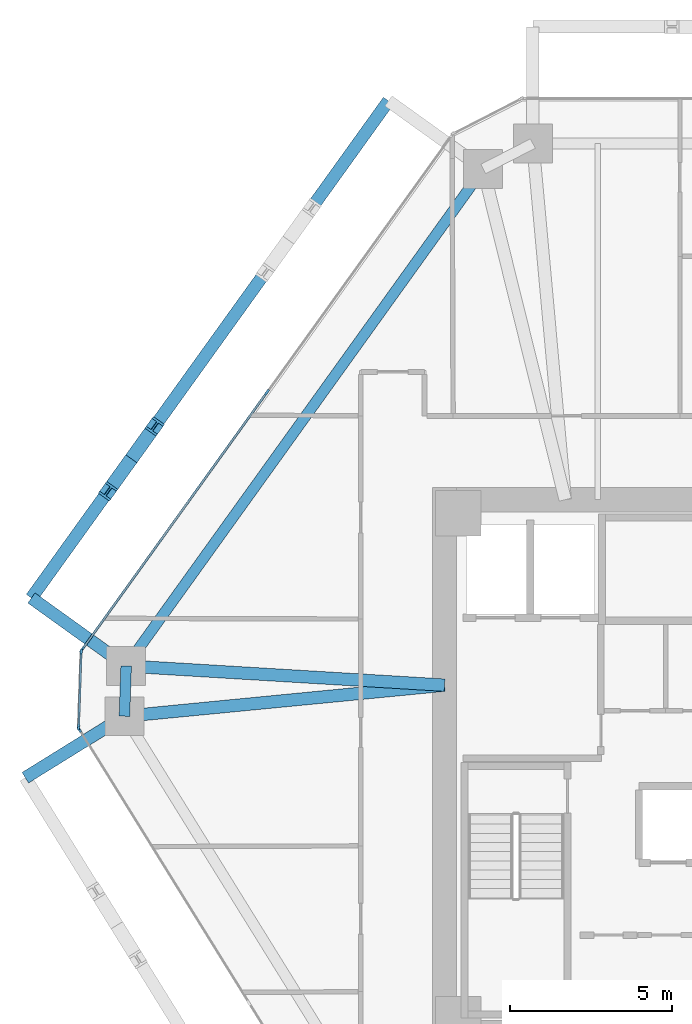
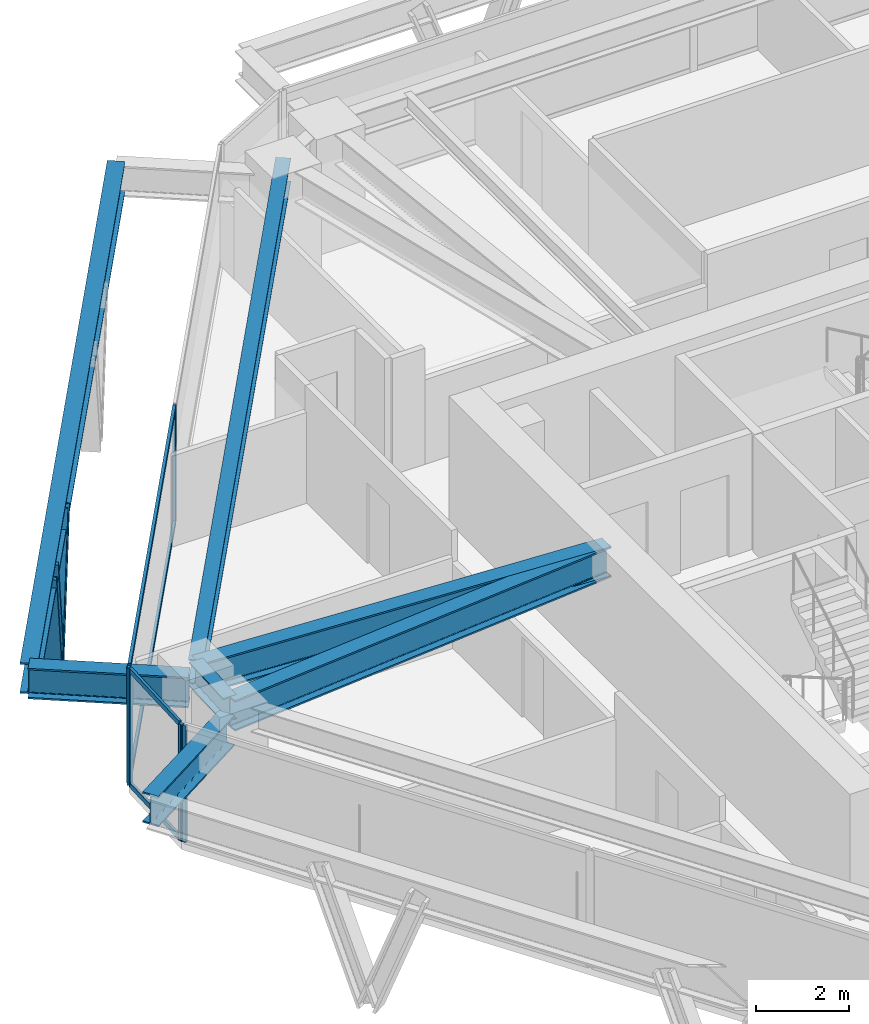
# One storey, part 4 of 14: 11 members, 7 beams, 3 elements without a shape of their own.
"""IFC4 building model written with IfcOpenShell, lengths in metres."""

from ifc_helpers import new_model, si_unit, direction, frame, origin, origin_2d, place, context, subcontext, project, spatial, rectangle, i_section, extrude, source, transform, mapped, material, layer, layer_set, material_profile, profile_set, type_object, type_shapes, element, aggregate, save


model = new_model("IFC4")

# Units and contexts
model_context = context("Model", 3, precision=1e-05, world=origin(), true_north=direction((0.0, 1.0)))
body_context = subcontext(model_context, "Body", "Model", "MODEL_VIEW")
ifc_project = project(units=[si_unit("LENGTHUNIT", "METRE"), si_unit("AREAUNIT", "SQUARE_METRE"), si_unit("VOLUMEUNIT", "CUBIC_METRE"), si_unit("PLANEANGLEUNIT", "RADIAN"), si_unit("MASSUNIT", "GRAM", prefix="KILO")], contexts=[model_context])

# Site, building, storey
site_placement = place(None, origin())
site = spatial("IfcSite", under=ifc_project, at=site_placement, CompositionType="ELEMENT")
building_placement = place(site_placement, origin())
building = spatial("IfcBuilding", under=site, at=building_placement, Name="Durnholm Broadcast Tower", CompositionType="ELEMENT")
storey_placement = place(building_placement, frame((0.0, 0.0, 107.39990234375)))
storey = spatial("IfcBuildingStorey", under=building, at=storey_placement, Name="L28", CompositionType="ELEMENT", Elevation=107.39990234375)

# Beams
ifc_material_1 = material(Name="Steel ASTM A992 Grade 50", Category="steel")
ifc_material_profile_1 = material_profile(ifc_material_1, i_section(OverallWidth=0.385009765625, OverallDepth=0.802978515625, WebThickness=0.023681640625, FlangeThickness=0.0419921875, FilletRadius=0.032958984375, at=origin_2d()), Name="W30X261")
ifc_profile_set_1 = profile_set([ifc_material_profile_1], Name="Steel ASTM A992 Grade 50")
beam_type_1 = type_object("IfcBeamType", Name="BM-EXO-TIE", PredefinedType="USERDEFINED", material=ifc_profile_set_1)
shared_shape_1 = source(origin(), body_context, "Body", "SweptSolid", [
    extrude(i_section(OverallWidth=0.385009765625, OverallDepth=0.802978515625, WebThickness=0.023681640625, FlangeThickness=0.0419921875, FilletRadius=0.032958984375, at=origin_2d()), origin(), (0.0, 0.0, 1.0), 3.4560546875),
])
for number, where, z_axis, x_axis, name in (
    (1, (-20.1669921875, 3.175048828125, 2.30859375), (-0.812164951739, 0.583427880005, 0.0), (-0.583427880005, -0.812164951739, 0.0), "L28 exoskeleton stand-off tie bracket F5.2"),
    (2, (-20.22509765625, 1.465576171875, 2.30859375), (-0.849795112316, -0.527113144481, 0.0), (0.527113144481, -0.849795112316, 0.0), "L28 exoskeleton stand-off tie bracket F6.1"),
):
    element("IfcBeam", number, at=place(storey_placement, frame(where, z_axis=z_axis, x_axis=x_axis)), inside=storey, type_object=beam_type_1, Name=name, ObjectType="GIRDER", PredefinedType="USERDEFINED", context=body_context, shape_type="MappedRepresentation", body=[
        mapped(shared_shape_1, transform((0.0, 0.0, 0.0), x_axis=(1.0, 0.0, 0.0), y_axis=(0.0, 1.0, 0.0), z_axis=(0.0, 0.0, 1.0), scale=1.0)),
    ])
ifc_material_profile_2 = material_profile(ifc_material_1, i_section(OverallWidth=0.3291015625, OverallDepth=0.635009765625, WebThickness=0.017822265625, FlangeThickness=0.031005859375, FilletRadius=0.02783203125, at=origin_2d()), Name="W24X162")
ifc_profile_set_2 = profile_set([ifc_material_profile_2], Name="Steel ASTM A992 Grade 50")
beam_type_2 = type_object("IfcBeamType", Name="STL-SP-W24X162", PredefinedType="SPANDREL", material=ifc_profile_set_2)
shared_shape_2 = source(origin(), body_context, "Body", "SweptSolid", [
    extrude(i_section(OverallWidth=0.3291015625, OverallDepth=0.635009765625, WebThickness=0.017822265625, FlangeThickness=0.031005859375, FilletRadius=0.02783203125, at=origin_2d()), origin(), (0.0, 0.0, 1.0), 1.550537109375),
])
beam_1_placement = place(storey_placement, frame((-20.102783203125, 1.54150390625, 2.7275390625), z_axis=(0.034012135923, 0.999421419928, 0.0), x_axis=(-0.999421419928, 0.034012135923, 0.0)))
element("IfcBeam", 3, at=beam_1_placement, inside=storey, type_object=beam_type_2, Name="L28 perimeter spandrel girder 02", PredefinedType="SPANDREL", context=body_context, shape_type="MappedRepresentation", body=[
    mapped(shared_shape_2, transform((0.0, 0.0, 0.0), x_axis=(1.0, 0.0, 0.0), y_axis=(0.0, 1.0, 0.0), z_axis=(0.0, 0.0, 1.0), scale=1.0)),
])
shared_shape_3 = source(origin(), body_context, "Body", "SweptSolid", [
    extrude(i_section(OverallWidth=0.3291015625, OverallDepth=0.635009765625, WebThickness=0.017822265625, FlangeThickness=0.031005859375, FilletRadius=0.02783203125, at=origin_2d()), origin(), (0.0, 0.0, 1.0), 18.884521484375),
])
type_shapes(beam_type_2, [shared_shape_2, shared_shape_3])
beam_2_placement = place(storey_placement, frame((-20.050048828125, 3.091064453125, 2.7275390625), z_axis=(0.583443434414, 0.812153777827, 0.0), x_axis=(-0.812153777827, 0.583443434414, 0.0)))
element("IfcBeam", 4, at=beam_2_placement, inside=storey, type_object=beam_type_2, Name="L28 perimeter spandrel girder 03", PredefinedType="SPANDREL", context=body_context, shape_type="MappedRepresentation", body=[
    mapped(shared_shape_3, transform((0.0, 0.0, 0.0), x_axis=(1.0, 0.0, 0.0), y_axis=(0.0, 1.0, 0.0), z_axis=(0.0, 0.0, 1.0), scale=1.0)),
])
ifc_material_profile_3 = material_profile(ifc_material_1, i_section(OverallWidth=0.385009765625, OverallDepth=0.802978515625, WebThickness=0.023681640625, FlangeThickness=0.0419921875, FilletRadius=0.032958984375, at=origin_2d()), Name="W30X261")
ifc_profile_set_3 = profile_set([ifc_material_profile_3], Name="Steel ASTM A992 Grade 50")
beam_type_3 = type_object("IfcBeamType", Name="STL-GR-W30X261", PredefinedType="USERDEFINED", material=ifc_profile_set_3)
shared_shape_4 = source(origin(), body_context, "Body", "SweptSolid", [
    extrude(i_section(OverallWidth=0.385009765625, OverallDepth=0.802978515625, WebThickness=0.023681640625, FlangeThickness=0.0419921875, FilletRadius=0.032958984375, at=origin_2d()), origin(), (0.0, 0.0, 1.0), 9.924072265625),
])
beam_3_placement = place(storey_placement, frame((-10.22509765625, 2.5, 2.6435546875), z_axis=(-0.995324947968, -0.096582855378, 0.0), x_axis=(0.096582855378, -0.995324947968, 0.0)))
element("IfcBeam", 5, at=beam_3_placement, inside=storey, type_object=beam_type_3, Name="L28 radial primary floor girder 02", ObjectType="GIRDER", PredefinedType="USERDEFINED", context=body_context, shape_type="MappedRepresentation", body=[
    mapped(shared_shape_4, transform((0.0, 0.0, 0.0), x_axis=(1.0, 0.0, 0.0), y_axis=(0.0, 1.0, 0.0), z_axis=(0.0, 0.0, 1.0), scale=1.0)),
])
shared_shape_5 = source(origin(), body_context, "Body", "SweptSolid", [
    extrude(i_section(OverallWidth=0.385009765625, OverallDepth=0.802978515625, WebThickness=0.023681640625, FlangeThickness=0.0419921875, FilletRadius=0.032958984375, at=origin_2d()), origin(), (0.0, 0.0, 1.0), 9.8427734375),
])
type_shapes(beam_type_3, [shared_shape_4, shared_shape_5])
beam_4_placement = place(storey_placement, frame((-10.22509765625, 2.5, 2.6435546875), z_axis=(-0.998195312551, 0.0600509617, 0.0), x_axis=(-0.0600509617, -0.998195312551, 0.0)))
element("IfcBeam", 6, at=beam_4_placement, inside=storey, type_object=beam_type_3, Name="L28 radial primary floor girder 03", ObjectType="GIRDER", PredefinedType="USERDEFINED", context=body_context, shape_type="MappedRepresentation", body=[
    mapped(shared_shape_5, transform((0.0, 0.0, 0.0), x_axis=(1.0, 0.0, 0.0), y_axis=(0.0, 1.0, 0.0), z_axis=(0.0, 0.0, 1.0), scale=1.0)),
])
shared_shape_6 = source(origin(), body_context, "Body", "SweptSolid", [
    extrude(i_section(OverallWidth=0.385009765625, OverallDepth=0.802978515625, WebThickness=0.023681640625, FlangeThickness=0.0419921875, FilletRadius=0.032958984375, at=origin_2d()), origin(), (0.0, 0.0, 1.0), 18.884765625),
])
type_shapes(beam_type_1, [shared_shape_1, shared_shape_6])
beam_5_placement = place(storey_placement, frame((-11.955810546875, 20.52880859375, 2.30859375), z_axis=(-0.583437308554, -0.812158178551, 0.0), x_axis=(0.812158178551, -0.583437308554, 0.0)))
element("IfcBeam", 7, at=beam_5_placement, inside=storey, type_object=beam_type_1, Name="L28 exoskeleton collector spandrel F5", PredefinedType="SPANDREL", context=body_context, shape_type="MappedRepresentation", body=[
    mapped(shared_shape_6, transform((0.0, 0.0, 0.0), x_axis=(1.0, 0.0, 0.0), y_axis=(0.0, 1.0, 0.0), z_axis=(0.0, 0.0, 1.0), scale=1.0)),
])

# Members
ifc_material_2 = material(Name="Steel ASTM A913 Grade 65", Category="steel")
ifc_material_profile_4 = material_profile(ifc_material_2, i_section(OverallWidth=0.424072265625, OverallDepth=0.47412109375, WebThickness=0.047607421875, FlangeThickness=0.0771484375, FilletRadius=0.030517578125, at=origin_2d()), Name="W14X426")
ifc_profile_set_4 = profile_set([ifc_material_profile_4], Name="Steel ASTM A913 Grade 65")
member_type_1 = type_object("IfcMemberType", Name="STL-DG-W14X426", PredefinedType="BRACE", material=ifc_profile_set_4)
shared_shape_7 = source(origin(), body_context, "Body", "SweptSolid", [
    extrude(i_section(OverallWidth=0.424072265625, OverallDepth=0.47412109375, WebThickness=0.047607421875, FlangeThickness=0.0771484375, FilletRadius=0.030517578125, at=origin_2d()), origin(), (0.0, 0.0, 1.0), 3.52294921875),
])
type_shapes(member_type_1, [shared_shape_7])
for number, where, z_axis, x_axis, name in (
    (8, (-19.888916015625, 9.48583984375, -0.9912109375), (0.204363459575, 0.284473381335, 0.936648531576), (-0.812153063014, 0.583444429434, 0.0), "L28 stand-off diagrid brace F5.D2.1"),
    (9, (-19.888916015625, 9.48583984375, -0.9912109375), (-0.204301080379, -0.284413715697, 0.936680258615), (0.812179469647, -0.583407669717, 0.0), "L28 stand-off diagrid brace F5.D2.2"),
):
    element("IfcMember", number, at=place(storey_placement, frame(where, z_axis=z_axis, x_axis=x_axis)), inside=storey, type_object=member_type_1, Name=name, PredefinedType="BRACE", context=body_context, shape_type="MappedRepresentation", body=[
        mapped(shared_shape_7, transform((0.0, 0.0, 0.0), x_axis=(1.0, 0.0, 0.0), y_axis=(0.0, 1.0, 0.0), z_axis=(0.0, 0.0, 1.0), scale=1.0)),
    ])

# Curtain wall, members
ifc_material_3 = material(Name="Aluminium and Solar Control IGU", Category="aluminium")
ifc_layer_1 = layer(ifc_material_3, 0.1650390625)
ifc_layer_set_1 = layer_set([ifc_layer_1], Name="Aluminium and Solar Control IGU")
curtain_wall_type_1 = type_object("IfcCurtainWallType", Name="CW-SYS-5", PredefinedType="NOTDEFINED", material=ifc_layer_set_1)
curtain_wall_1_placement = place(storey_placement, origin())
curtain_wall_1 = element("IfcCurtainWall", 10, at=curtain_wall_1_placement, inside=storey, type_object=curtain_wall_type_1, Name="L28 curtain wall CW-CORNER CW-L28-CRN-01", PredefinedType="NOTDEFINED")
ifc_material_4 = material(Name="Aluminium 6063-T6", Category="aluminium")
ifc_material_profile_5 = material_profile(ifc_material_4, rectangle(XDim=0.06494140625, YDim=0.1650390625, at=origin_2d()), Name="CWM65X165")
ifc_profile_set_5 = profile_set([ifc_material_profile_5], Name="Aluminium 6063-T6")
member_type_2 = type_object("IfcMemberType", Name="CW-SYS-5-MUL", PredefinedType="MULLION", material=ifc_profile_set_5)
shared_shape_8 = source(origin(), body_context, "Body", "SweptSolid", [
    extrude(rectangle(XDim=0.06494140625, YDim=0.1650390625, at=origin_2d()), origin(), (0.0, 0.0, 1.0), 3.06005859375),
])
type_shapes(member_type_2, [shared_shape_8])
member_1_placement = place(storey_placement, frame((-21.51513671875, 1.19677734375, 0.0), z_axis=(0.0, 0.0, 1.0), x_axis=(-0.999424655155, 0.033916937775, 0.0)))
member_1 = element("IfcMember", 11, at=member_1_placement, type_object=member_type_2, Name="CW-CORNER mullion 1", PredefinedType="MULLION", context=body_context, shape_type="MappedRepresentation", body=[
    mapped(shared_shape_8, transform((0.0, 0.0, 0.0), x_axis=(1.0, 0.0, 0.0), y_axis=(0.0, 1.0, 0.0), z_axis=(0.0, 0.0, 1.0), scale=1.0)),
])
member_2_placement = place(storey_placement, frame((-21.43603515625, 3.530517578125, 0.0), z_axis=(0.0, 0.0, 1.0), x_axis=(-0.999424655155, 0.033916937775, 0.0)))
member_2 = element("IfcMember", 12, at=member_2_placement, type_object=member_type_2, Name="CW-CORNER mullion 2", PredefinedType="MULLION", context=body_context, shape_type="MappedRepresentation", body=[
    mapped(shared_shape_8, transform((0.0, 0.0, 0.0), x_axis=(1.0, 0.0, 0.0), y_axis=(0.0, 1.0, 0.0), z_axis=(0.0, 0.0, 1.0), scale=1.0)),
])

ifc_layer_2 = layer(ifc_material_3, 0.18994140625)
ifc_layer_set_2 = layer_set([ifc_layer_2], Name="Aluminium and Solar Control IGU")
curtain_wall_type_2 = type_object("IfcCurtainWallType", Name="CW-SYS-3", PredefinedType="NOTDEFINED", material=ifc_layer_set_2)
curtain_wall_2_placement = place(storey_placement, origin())
curtain_wall_2 = element("IfcCurtainWall", 13, at=curtain_wall_2_placement, inside=storey, type_object=curtain_wall_type_2, Name="L28 curtain wall CW-Z12-VIS CW-L28-F02", PredefinedType="NOTDEFINED")
ifc_material_profile_6 = material_profile(ifc_material_4, rectangle(XDim=0.070068359375, YDim=0.18994140625, at=origin_2d()), Name="CWM70X190")
ifc_profile_set_6 = profile_set([ifc_material_profile_6], Name="Aluminium 6063-T6")
member_type_3 = type_object("IfcMemberType", Name="CW-SYS-3-MUL", PredefinedType="MULLION", material=ifc_profile_set_6)
shared_shape_9 = source(origin(), body_context, "Body", "SweptSolid", [
    extrude(rectangle(XDim=0.070068359375, YDim=0.18994140625, at=origin_2d()), origin(), (0.0, 0.0, 1.0), 3.06005859375),
])
type_shapes(member_type_3, [shared_shape_9])
member_3_placement = place(storey_placement, frame((-21.41455078125, 3.59130859375, 0.0), z_axis=(0.0, 0.0, 1.0), x_axis=(-0.812152312759, 0.583445473786, 0.0)))
member_3 = element("IfcMember", 14, at=member_3_placement, type_object=member_type_3, Name="CW-Z12-VIS mullion 1", PredefinedType="MULLION", context=body_context, shape_type="MappedRepresentation", body=[
    mapped(shared_shape_9, transform((0.0, 0.0, 0.0), x_axis=(1.0, 0.0, 0.0), y_axis=(0.0, 1.0, 0.0), z_axis=(0.0, 0.0, 1.0), scale=1.0)),
])
member_4_placement = place(storey_placement, frame((-15.703369140625, 11.541259765625, 0.0), z_axis=(0.0, 0.0, 1.0), x_axis=(-0.812152312759, 0.583445473786, 0.0)))
member_4 = element("IfcMember", 15, at=member_4_placement, type_object=member_type_3, Name="CW-Z12-VIS mullion 2", PredefinedType="MULLION", context=body_context, shape_type="MappedRepresentation", body=[
    mapped(shared_shape_9, transform((0.0, 0.0, 0.0), x_axis=(1.0, 0.0, 0.0), y_axis=(0.0, 1.0, 0.0), z_axis=(0.0, 0.0, 1.0), scale=1.0)),
])

# Curtain wall, member
curtain_wall_3_placement = place(storey_placement, origin())
curtain_wall_3 = element("IfcCurtainWall", 16, at=curtain_wall_3_placement, inside=storey, type_object=curtain_wall_type_2, Name="L28 curtain wall CW-Z12-VIS CW-L28-F12", PredefinedType="NOTDEFINED")
member_5_placement = place(storey_placement, frame((-21.497802734375, 1.134765625, 0.0), z_axis=(0.0, 0.0, 1.0), x_axis=(-0.849799925229, -0.527105385176, 0.0)))
member_5 = element("IfcMember", 17, at=member_5_placement, type_object=member_type_3, Name="CW-Z12-VIS mullion 3", PredefinedType="MULLION", context=body_context, shape_type="MappedRepresentation", body=[
    mapped(shared_shape_9, transform((0.0, 0.0, 0.0), x_axis=(1.0, 0.0, 0.0), y_axis=(0.0, 1.0, 0.0), z_axis=(0.0, 0.0, 1.0), scale=1.0)),
])
aggregate(curtain_wall_3, [member_5])

# Member
ifc_material_profile_7 = material_profile(ifc_material_4, rectangle(XDim=0.06494140625, YDim=0.1298828125, at=origin_2d()), Name="CWT65X130")
ifc_profile_set_7 = profile_set([ifc_material_profile_7], Name="Aluminium 6063-T6")
member_type_4 = type_object("IfcMemberType", Name="CW-SYS-5-TRN", PredefinedType="USERDEFINED", material=ifc_profile_set_7)
shared_shape_10 = source(origin(), body_context, "Body", "SweptSolid", [
    extrude(rectangle(XDim=0.06494140625, YDim=0.1298828125, at=origin_2d()), origin(), (0.0, 0.0, 1.0), 2.27001953125),
])
type_shapes(member_type_4, [shared_shape_10])
member_6_placement = place(storey_placement, frame((-21.51416015625, 1.229248046875, 0.03271484375), z_axis=(0.03398444704, 0.999422361847, 0.0), x_axis=(-0.999422361847, 0.03398444704, 0.0)))
member_6 = element("IfcMember", 18, at=member_6_placement, type_object=member_type_4, Name="CW-CORNER transom 1.1", ObjectType="TRANSOM", PredefinedType="USERDEFINED", context=body_context, shape_type="MappedRepresentation", body=[
    mapped(shared_shape_10, transform((0.0, 0.0, 0.0), x_axis=(1.0, 0.0, 0.0), y_axis=(0.0, 1.0, 0.0), z_axis=(0.0, 0.0, 1.0), scale=1.0)),
])

member_7_placement = place(storey_placement, frame((-21.51416015625, 1.229248046875, 3.027587890625), z_axis=(0.03398444704, 0.999422361847, 0.0), x_axis=(-0.999422361847, 0.03398444704, 0.0)))
member_7 = element("IfcMember", 19, at=member_7_placement, type_object=member_type_4, Name="CW-CORNER transom 1.2", ObjectType="TRANSOM", PredefinedType="USERDEFINED", context=body_context, shape_type="MappedRepresentation", body=[
    mapped(shared_shape_10, transform((0.0, 0.0, 0.0), x_axis=(1.0, 0.0, 0.0), y_axis=(0.0, 1.0, 0.0), z_axis=(0.0, 0.0, 1.0), scale=1.0)),
])

aggregate(curtain_wall_1, [member_1, member_2, member_6, member_7])

ifc_material_profile_8 = material_profile(ifc_material_4, rectangle(XDim=0.070068359375, YDim=0.14990234375, at=origin_2d()), Name="CWT70X150")
ifc_profile_set_8 = profile_set([ifc_material_profile_8], Name="Aluminium 6063-T6")
member_type_5 = type_object("IfcMemberType", Name="CW-SYS-3-TRN", PredefinedType="USERDEFINED", material=ifc_profile_set_8)
shared_shape_11 = source(origin(), body_context, "Body", "SweptSolid", [
    extrude(rectangle(XDim=0.070068359375, YDim=0.14990234375, at=origin_2d()), origin(), (0.0, 0.0, 1.0), 9.71875),
])
type_shapes(member_type_5, [shared_shape_11])
member_8_placement = place(storey_placement, frame((-21.39404296875, 3.619873046875, 0.03515625), z_axis=(0.583450726174, 0.812148539448, 0.0), x_axis=(-0.812148539448, 0.583450726174, 0.0)))
member_8 = element("IfcMember", 20, at=member_8_placement, type_object=member_type_5, Name="CW-Z12-VIS transom 1.1", ObjectType="TRANSOM", PredefinedType="USERDEFINED", context=body_context, shape_type="MappedRepresentation", body=[
    mapped(shared_shape_11, transform((0.0, 0.0, 0.0), x_axis=(1.0, 0.0, 0.0), y_axis=(0.0, 1.0, 0.0), z_axis=(0.0, 0.0, 1.0), scale=1.0)),
])

member_9_placement = place(storey_placement, frame((-21.39404296875, 3.619873046875, 3.025146484375), z_axis=(0.583450726174, 0.812148539448, 0.0), x_axis=(-0.812148539448, 0.583450726174, 0.0)))
member_9 = element("IfcMember", 21, at=member_9_placement, type_object=member_type_5, Name="CW-Z12-VIS transom 1.2", ObjectType="TRANSOM", PredefinedType="USERDEFINED", context=body_context, shape_type="MappedRepresentation", body=[
    mapped(shared_shape_11, transform((0.0, 0.0, 0.0), x_axis=(1.0, 0.0, 0.0), y_axis=(0.0, 1.0, 0.0), z_axis=(0.0, 0.0, 1.0), scale=1.0)),
])

aggregate(curtain_wall_2, [member_3, member_4, member_8, member_9])

save(model, "model.ifc")
